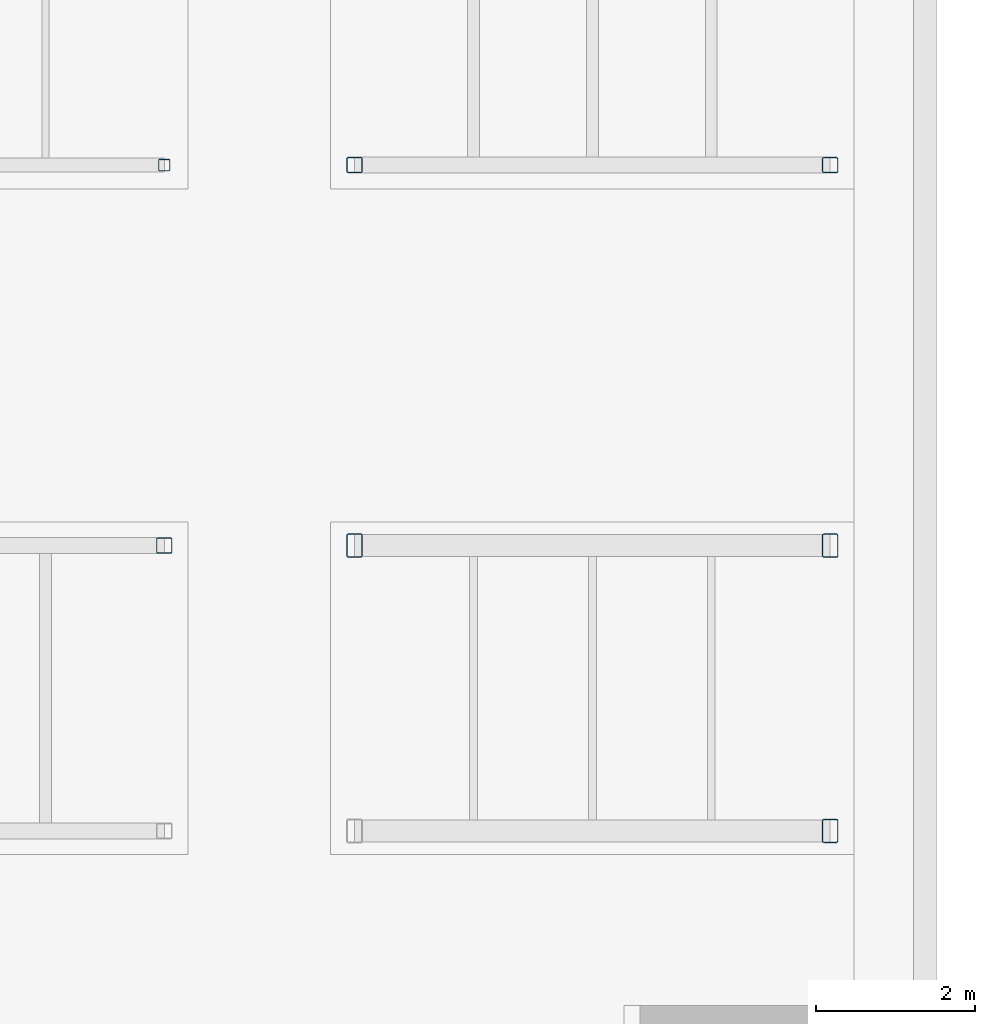
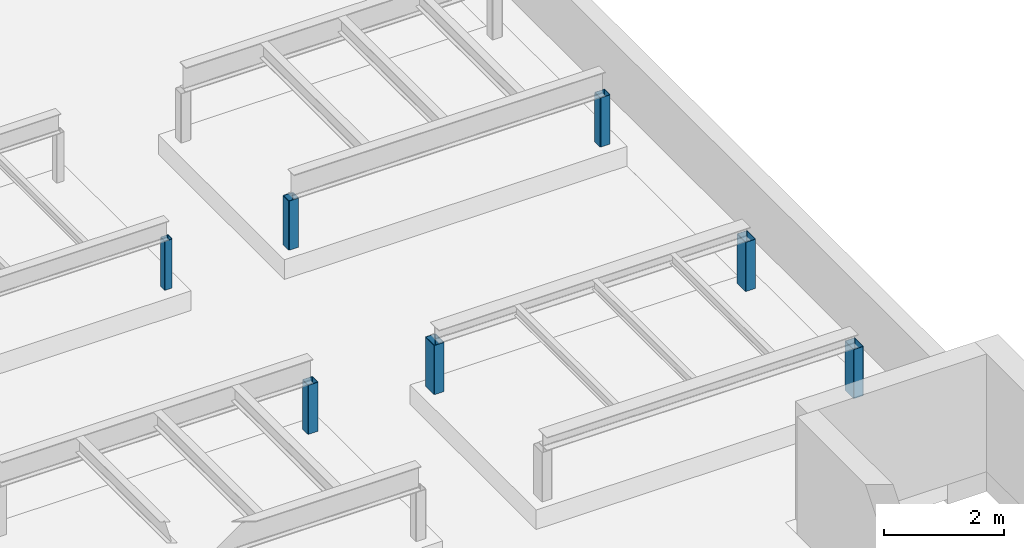
# One storey, part 3 of 18: 7 columns.
"""IFC4 building model written with IfcOpenShell, lengths in metres."""

from ifc_helpers import new_model, si_unit, direction, frame, origin, origin_2d, place, context, subcontext, project, spatial, hollow_rectangle, extrude, material, material_profile, profile_set, type_object, element, save


model = new_model("IFC4")

# Units and contexts
model_context = context("Model", 3, precision=1e-05, world=origin(), true_north=direction((0.0, 1.0)))
body_context = subcontext(model_context, "Body", "Model", "MODEL_VIEW")
ifc_project = project(units=[si_unit("LENGTHUNIT", "METRE"), si_unit("AREAUNIT", "SQUARE_METRE"), si_unit("VOLUMEUNIT", "CUBIC_METRE"), si_unit("PLANEANGLEUNIT", "RADIAN"), si_unit("MASSUNIT", "GRAM", prefix="KILO")], contexts=[model_context])

# Site, building, storey
site_placement = place(None, origin())
site = spatial("IfcSite", under=ifc_project, at=site_placement, CompositionType="ELEMENT")
building_placement = place(site_placement, origin())
building = spatial("IfcBuilding", under=site, at=building_placement, Name="Yavir Park General Hospital", CompositionType="ELEMENT")
storey_placement = place(building_placement, frame((0.0, 0.0, 29.699951171875)))
storey = spatial("IfcBuildingStorey", under=building, at=storey_placement, Name="RF", CompositionType="ELEMENT", Elevation=29.699951171875)

# Columns
ifc_material_1 = material(Name="Steel S355", Category="steel")
ifc_material_profile_1 = material_profile(ifc_material_1, hollow_rectangle(XDim=0.199951171875, YDim=0.300048828125, WallThickness=0.010009765625, InnerFilletRadius=0.014892578125, OuterFilletRadius=0.02001953125, at=origin_2d()), Name="RHS300x200x10")
ifc_profile_set_1 = profile_set([ifc_material_profile_1], Name="Steel S355")
column_type_1 = type_object("IfcColumnType", Name="RHS 300x200x10 platform column", PredefinedType="COLUMN", material=ifc_profile_set_1)
for number, where, z_axis, x_axis, name in (
    (1, (24.0, 86.39990234375, 0.400146484375), (0.0, 0.0, 1.0), (1.0, 0.0, 0.0), "C:PF:PP33L:1"),
    (2, (18.0, 90.0, 0.400146484375), (0.0, 0.0, 1.0), (1.0, 0.0, 0.0), "C:PF:PP33L:2"),
    (3, (24.0, 90.0, 0.400146484375), (0.0, 0.0, 1.0), (1.0, 0.0, 0.0), "C:PF:PP33L:3"),
):
    element("IfcColumn", number, at=place(storey_placement, frame(where, z_axis=z_axis, x_axis=x_axis)), inside=storey, type_object=column_type_1, Name=name, PredefinedType="COLUMN", context=body_context, shape_type="SweptSolid", body=[
        extrude(hollow_rectangle(XDim=0.199951171875, YDim=0.300048828125, WallThickness=0.010009765625, InnerFilletRadius=0.014892578125, OuterFilletRadius=0.02001953125, at=origin_2d()), origin(), (0.0, 0.0, 1.0), 1.0),
    ])
ifc_material_2 = material(Name="Steel S355", Category="steel")
ifc_material_profile_2 = material_profile(ifc_material_2, hollow_rectangle(XDim=0.14990234375, YDim=0.14990234375, WallThickness=0.008056640625, InnerFilletRadius=0.011962890625, OuterFilletRadius=0.01611328125, at=origin_2d()), Name="SHS150x150x8")
ifc_profile_set_2 = profile_set([ifc_material_profile_2], Name="Steel S355")
column_type_2 = type_object("IfcColumnType", Name="SHS 150x150x8 platform column", PredefinedType="COLUMN", material=ifc_profile_set_2)
column_placement = place(storey_placement, frame((15.60009765625, 94.800048828125, 0.400146484375), z_axis=(0.0, 0.0, 1.0), x_axis=(1.0, 0.0, 0.0)))
element("IfcColumn", 4, at=column_placement, inside=storey, type_object=column_type_2, Name="C:PF:PP32M:1", PredefinedType="COLUMN", context=body_context, shape_type="SweptSolid", body=[
    extrude(hollow_rectangle(XDim=0.14990234375, YDim=0.14990234375, WallThickness=0.008056640625, InnerFilletRadius=0.011962890625, OuterFilletRadius=0.01611328125, at=origin_2d()), origin(), (0.0, 0.0, 1.0), 1.0),
])
ifc_material_3 = material(Name="Steel S355", Category="steel")
ifc_material_profile_3 = material_profile(ifc_material_3, hollow_rectangle(XDim=0.199951171875, YDim=0.199951171875, WallThickness=0.010009765625, InnerFilletRadius=0.014892578125, OuterFilletRadius=0.02001953125, at=origin_2d()), Name="SHS200x200x10")
ifc_profile_set_3 = profile_set([ifc_material_profile_3], Name="Steel S355")
column_type_3 = type_object("IfcColumnType", Name="SHS 200x200x10 platform column", PredefinedType="COLUMN", material=ifc_profile_set_3)
for number, where, z_axis, x_axis, name in (
    (5, (15.60009765625, 90.0, 0.400146484375), (0.0, 0.0, 1.0), (1.0, 0.0, 0.0), "C:PF:PP32L:3"),
    (6, (18.0, 94.800048828125, 0.400146484375), (0.0, 0.0, 1.0), (1.0, 0.0, 0.0), "C:PF:PP33M:0"),
    (7, (24.0, 94.800048828125, 0.400146484375), (0.0, 0.0, 1.0), (1.0, 0.0, 0.0), "C:PF:PP33M:1"),
):
    element("IfcColumn", number, at=place(storey_placement, frame(where, z_axis=z_axis, x_axis=x_axis)), inside=storey, type_object=column_type_3, Name=name, PredefinedType="COLUMN", context=body_context, shape_type="SweptSolid", body=[
        extrude(hollow_rectangle(XDim=0.199951171875, YDim=0.199951171875, WallThickness=0.010009765625, InnerFilletRadius=0.014892578125, OuterFilletRadius=0.02001953125, at=origin_2d()), origin(), (0.0, 0.0, 1.0), 1.0),
    ])

save(model, "model.ifc")
